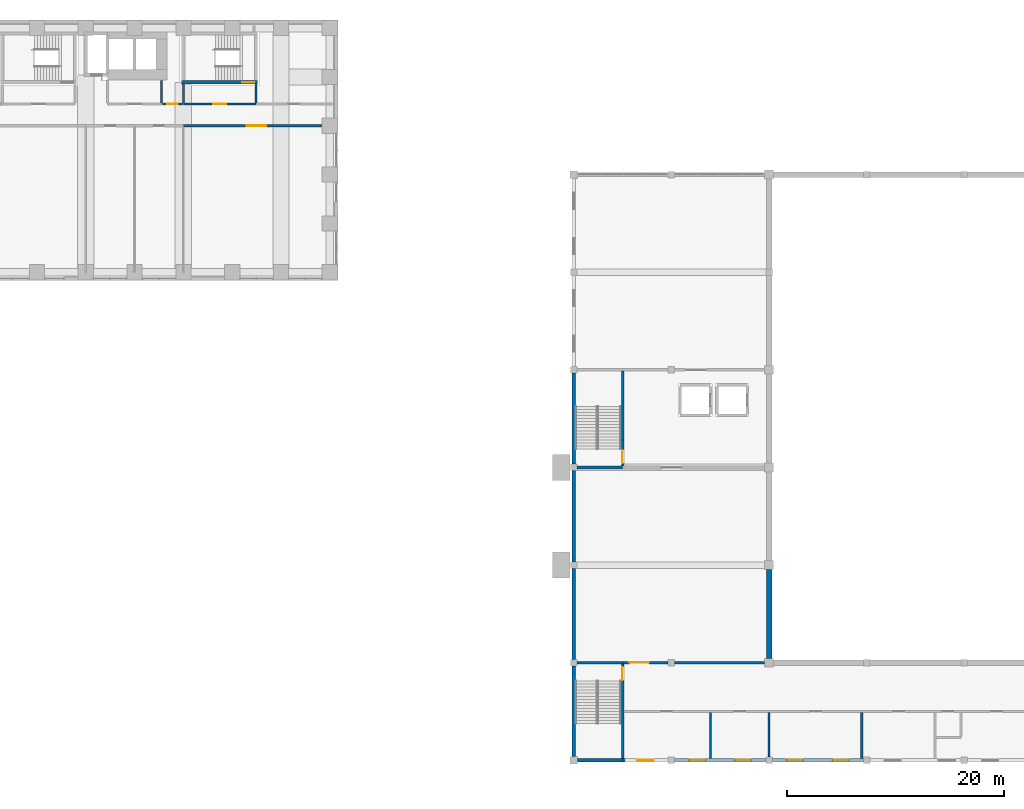
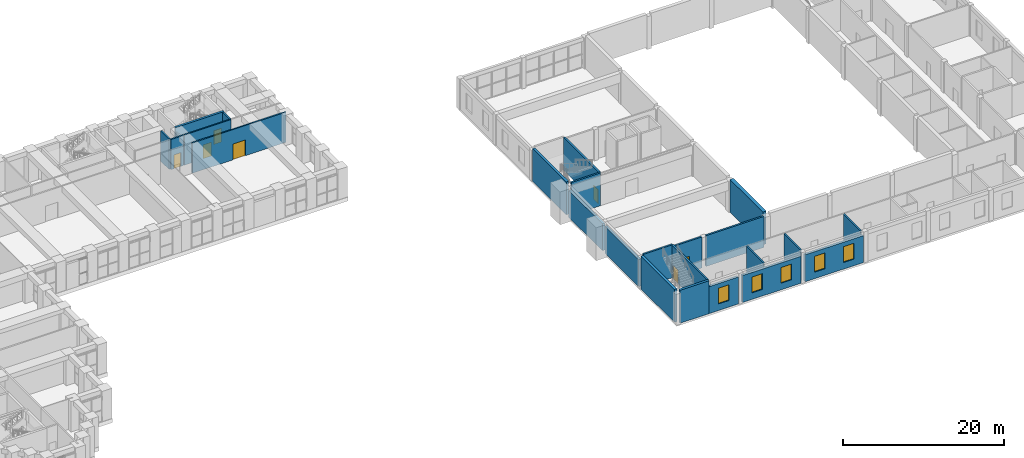
# One storey, part 18 of 30: 25 walls, 7 doors, 5 windows, 12 openings.
"""IFC4 building model written with IfcOpenShell, lengths in metres."""

from ifc_helpers import new_model, si_unit, direction, frame, frame_2d, origin, place, context, subcontext, project, spatial, rectangle, extrude, material, layer, layer_set, type_object, element, fill, save


model = new_model("IFC4")

# Units and contexts
model_context = context("Model", 3, precision=1e-05, world=origin(), true_north=direction((0.0, 1.0)))
body_context = subcontext(model_context, "Body", "Model", "MODEL_VIEW")
ifc_project = project(units=[si_unit("LENGTHUNIT", "METRE"), si_unit("AREAUNIT", "SQUARE_METRE"), si_unit("VOLUMEUNIT", "CUBIC_METRE"), si_unit("PLANEANGLEUNIT", "RADIAN"), si_unit("MASSUNIT", "GRAM", prefix="KILO")], contexts=[model_context])

# Site, building, storey
site_placement = place(None, origin())
site = spatial("IfcSite", under=ifc_project, at=site_placement, CompositionType="ELEMENT")
building_placement = place(site_placement, origin())
building = spatial("IfcBuilding", under=site, at=building_placement, Name="Firuza Court", CompositionType="ELEMENT")
storey_placement = place(building_placement, frame((0.0, 0.0, 9.0)))
storey = spatial("IfcBuildingStorey", under=building, at=storey_placement, Name="L01", CompositionType="ELEMENT", Elevation=9.0)

# Wall, opening, door
ifc_material_1 = material(Name="Concrete C60/75", Category="concrete")
ifc_layer_1 = layer(ifc_material_1, 0.300048828125)
ifc_layer_set_1 = layer_set([ifc_layer_1], Name="Concrete C60/75")
wall_type_1 = type_object("IfcWallType", Name="Core wall 300 C60/75", PredefinedType="SHEAR", material=ifc_layer_set_1)
wall_1_placement = place(storey_placement, frame((53.85009765625, 53.5, -0.60009765625), z_axis=(0.0, 0.0, 1.0), x_axis=(1.0, 0.0, 0.0)))
wall_1 = element("IfcWall", 1, at=wall_1_placement, inside=storey, type_object=wall_type_1, Name="Core wall stair L01", PredefinedType="SHEAR", context=body_context, shape_type="SweptSolid", body=[
    extrude(rectangle(XDim=7.0, YDim=0.300048828125, at=frame_2d((3.5, 0.0))), origin(), (0.0, 0.0, 1.0), 5.2001953125),
])
opening_1_placement = place(wall_1_placement, frame((5.580078125, 0.0, 0.60009765625)))
opening_1 = element("IfcOpeningElement", 2, at=opening_1_placement, cuts=wall_1, Name="Opening D01017", PredefinedType="OPENING", context=body_context, shape_type="SweptSolid", body=[
    extrude(rectangle(XDim=1.10009765625, YDim=2.10009765625, at=frame_2d((0.550048828125, 1.050048828125))), frame((0.0, 0.162109375, 0.0), z_axis=(0.0, -1.0, 0.0), x_axis=(1.0, 0.0, 0.0)), (0.0, 0.0, 1.0), 0.323974609375),
])
ifc_material_2 = material(Name="Timber door leaf in hardwood frame", Category="wood")
door_type_1 = type_object("IfcDoorType", Name="Stair door 1100", OperationType="SINGLE_SWING_LEFT", PredefinedType="DOOR", material=ifc_material_2)
door_1_placement = place(opening_1_placement, origin())
door_1 = element("IfcDoor", 3, at=door_1_placement, inside=storey, type_object=door_type_1, Name="Stair door S4", OperationType="SINGLE_SWING_RIGHT", OverallHeight=2.10009765625, OverallWidth=1.10009765625, PredefinedType="DOOR", context=body_context, shape_type="SweptSolid", body=[
    extrude(rectangle(XDim=1.10009765625, YDim=2.10009765625, at=frame_2d((0.550048828125, 1.050048828125))), frame((0.0, 0.02490234375, 0.0), z_axis=(0.0, -1.0, 0.0), x_axis=(1.0, 0.0, 0.0)), (0.0, 0.0, 1.0), 0.050048828125),
])
fill(opening_1, door_1)

ifc_material_3 = material(Name="Blockwork, plastered both sides", Category="masonry")
ifc_layer_2 = layer(ifc_material_3, 0.199951171875)
ifc_layer_set_2 = layer_set([ifc_layer_2], Name="Blockwork, plastered both sides")
wall_type_2 = type_object("IfcWallType", Name="Corridor wall 200", PredefinedType="PARTITIONING", material=ifc_layer_set_2)
wall_2_placement = place(storey_placement, frame((54.0, 49.5, 0.0), z_axis=(0.0, 0.0, 1.0), x_axis=(1.0, 0.0, 0.0)))
wall_2 = element("IfcWall", 4, at=wall_2_placement, inside=storey, type_object=wall_type_2, Name="Corridor wall 200 L01", PredefinedType="PARTITIONING", context=body_context, shape_type="SweptSolid", body=[
    extrude(rectangle(XDim=13.5, YDim=0.199951171875, at=frame_2d((6.75, 0.0))), origin(), (0.0, 0.0, 1.0), 4.60009765625),
])
opening_2_placement = place(wall_2_placement, frame((5.824951171875, 0.0, 0.0)))
opening_2 = element("IfcOpeningElement", 5, at=opening_2_placement, cuts=wall_2, Name="Opening D01033", PredefinedType="OPENING", context=body_context, shape_type="SweptSolid", body=[
    extrude(rectangle(XDim=1.800048828125, YDim=2.39990234375, at=frame_2d((0.89990234375, 1.199951171875))), frame((0.0, 0.11181640625, 0.0), z_axis=(0.0, -1.0, 0.0), x_axis=(1.0, 0.0, 0.0)), (0.0, 0.0, 1.0), 0.223876953125),
])
ifc_material_4 = material(Name="Timber door leaf in hardwood frame", Category="wood")
door_type_2 = type_object("IfcDoorType", Name="Double door 1800 EI 30", OperationType="DOUBLE_DOOR_SINGLE_SWING", PredefinedType="DOOR", material=ifc_material_4)
door_2_placement = place(opening_2_placement, origin())
door_2 = element("IfcDoor", 6, at=door_2_placement, inside=storey, type_object=door_type_2, Name="Double door", OperationType="DOUBLE_DOOR_SINGLE_SWING", OverallHeight=2.39990234375, OverallWidth=1.800048828125, PredefinedType="DOOR", context=body_context, shape_type="SweptSolid", body=[
    extrude(rectangle(XDim=1.800048828125, YDim=2.39990234375, at=frame_2d((0.89990234375, 1.199951171875))), frame((0.0, 0.02490234375, 0.0), z_axis=(0.0, -1.0, 0.0), x_axis=(1.0, 0.0, 0.0)), (0.0, 0.0, 1.0), 0.050048828125),
])
fill(opening_2, door_2)

# Walls
ifc_material_5 = material(Name="Blockwork", Category="masonry")
ifc_layer_3 = layer(ifc_material_5, 0.199951171875)
ifc_layer_set_3 = layer_set([ifc_layer_3], Name="Blockwork")
wall_type_3 = type_object("IfcWallType", Name="HALL PARTITION 200", PredefinedType="STANDARD", material=ifc_layer_set_3)
wall_3_placement = place(storey_placement, frame((102.60009765625, -8.824951171875, 0.0), z_axis=(0.0, 0.0, 1.0), x_axis=(0.0, 1.0, 0.0)))
element("IfcWall", 7, at=wall_3_placement, inside=storey, type_object=wall_type_3, Name="Wall L01.58", PredefinedType="STANDARD", context=body_context, shape_type="SweptSolid", body=[
    extrude(rectangle(XDim=4.224853515625, YDim=0.199951171875, at=frame_2d((2.1123046875, 0.0))), origin(), (0.0, 0.0, 1.0), 4.699951171875),
])
wall_4_placement = place(storey_placement, frame((108.0, -8.699951171875, 0.0), z_axis=(0.0, 0.0, 1.0), x_axis=(0.0, 1.0, 0.0)))
element("IfcWall", 8, at=wall_4_placement, inside=storey, type_object=wall_type_3, Name="Wall L01.62", PredefinedType="STANDARD", context=body_context, shape_type="SweptSolid", body=[
    extrude(rectangle(XDim=4.099853515625, YDim=0.199951171875, at=frame_2d((2.0498046875, 0.0))), origin(), (0.0, 0.0, 1.0), 4.699951171875),
])
wall_5_placement = place(storey_placement, frame((116.550048828125, -8.824951171875, 0.0), z_axis=(0.0, 0.0, 1.0), x_axis=(0.0, 1.0, 0.0)))
element("IfcWall", 9, at=wall_5_placement, inside=storey, type_object=wall_type_3, Name="Wall L01.68", PredefinedType="STANDARD", context=body_context, shape_type="SweptSolid", body=[
    extrude(rectangle(XDim=4.224853515625, YDim=0.199951171875, at=frame_2d((2.1123046875, 0.0))), origin(), (0.0, 0.0, 1.0), 4.699951171875),
])
ifc_material_6 = material(Name="Concrete C40/50", Category="concrete")
ifc_layer_4 = layer(ifc_material_6, 0.25)
ifc_layer_set_4 = layer_set([ifc_layer_4], Name="Concrete C40/50")
wall_type_4 = type_object("IfcWallType", Name="HALL RC WALL 250", PredefinedType="STANDARD", material=ifc_layer_set_4)
wall_6_placement = place(storey_placement, frame((90.300048828125, 0.0, 0.0), z_axis=(0.0, 0.0, 1.0), x_axis=(1.0, 0.0, 0.0)))
element("IfcWall", 10, at=wall_6_placement, inside=storey, type_object=wall_type_4, Name="Wall L01.12", PredefinedType="STANDARD", context=body_context, shape_type="SweptSolid", body=[
    extrude(rectangle(XDim=4.199951171875, YDim=0.25, at=frame_2d((2.10009765625, 0.0))), origin(), (0.0, 0.0, 1.0), 5.0),
])

# Wall, opening, door
wall_7_placement = place(storey_placement, frame((94.5, 0.0, 0.0), z_axis=(0.0, 0.0, 1.0), x_axis=(1.0, 0.0, 0.0)))
wall_7 = element("IfcWall", 11, at=wall_7_placement, inside=storey, type_object=wall_type_4, Name="Wall L01.13", PredefinedType="STANDARD", context=body_context, shape_type="SweptSolid", body=[
    extrude(rectangle(XDim=4.199951171875, YDim=0.25, at=frame_2d((2.10009765625, 0.0))), origin(), (0.0, 0.0, 1.0), 4.699951171875),
])
opening_3_placement = place(wall_7_placement, frame((0.6201171875, 0.0, 0.0)))
opening_3 = element("IfcOpeningElement", 12, at=opening_3_placement, cuts=wall_7, Name="Opening H060", PredefinedType="OPENING", context=body_context, shape_type="SweptSolid", body=[
    extrude(rectangle(XDim=1.800048828125, YDim=2.39990234375, at=frame_2d((0.89990234375, 1.199951171875))), frame((0.0, 0.136962890625, 0.0), z_axis=(0.0, -1.0, 0.0), x_axis=(1.0, 0.0, 0.0)), (0.0, 0.0, 1.0), 0.27392578125),
])
ifc_material_7 = material(Name="Timber", Category="wood")
door_type_3 = type_object("IfcDoorType", Name="HALL DOOR 1800X2400", OperationType="DOUBLE_DOOR_SINGLE_SWING", PredefinedType="DOOR", material=ifc_material_7)
door_3_placement = place(opening_3_placement, origin())
door_3 = element("IfcDoor", 13, at=door_3_placement, inside=storey, type_object=door_type_3, Name="Chamber hall door south", OperationType="DOUBLE_DOOR_SINGLE_SWING", OverallHeight=2.39990234375, OverallWidth=1.800048828125, PredefinedType="DOOR", context=body_context, shape_type="SweptSolid", body=[
    extrude(rectangle(XDim=1.800048828125, YDim=2.39990234375, at=frame_2d((0.89990234375, 1.199951171875))), frame((0.0, 0.02490234375, 0.0), z_axis=(0.0, -1.0, 0.0), x_axis=(1.0, 0.0, 0.0)), (0.0, 0.0, 1.0), 0.050048828125),
])
fill(opening_3, door_3)

# Walls
wall_8_placement = place(storey_placement, frame((99.300048828125, 0.0, 0.0), z_axis=(0.0, 0.0, 1.0), x_axis=(1.0, 0.0, 0.0)))
element("IfcWall", 14, at=wall_8_placement, inside=storey, type_object=wall_type_4, Name="Wall L01.14", PredefinedType="STANDARD", context=body_context, shape_type="SweptSolid", body=[
    extrude(rectangle(XDim=8.300048828125, YDim=0.25, at=frame_2d((4.14990234375, 0.0))), origin(), (0.0, 0.0, 1.0), 4.699951171875),
])
wall_9_placement = place(storey_placement, frame((90.300048828125, 18.0, 0.0), z_axis=(0.0, 0.0, 1.0), x_axis=(1.0, 0.0, 0.0)))
element("IfcWall", 15, at=wall_9_placement, inside=storey, type_object=wall_type_4, Name="Wall L01.27", PredefinedType="STANDARD", context=body_context, shape_type="SweptSolid", body=[
    extrude(rectangle(XDim=4.199951171875, YDim=0.25, at=frame_2d((2.10009765625, 0.0))), origin(), (0.0, 0.0, 1.0), 5.0),
])

# Wall, opening, door
wall_10_placement = place(storey_placement, frame((94.5, -8.824951171875, 0.0), z_axis=(0.0, 0.0, 1.0), x_axis=(0.0, 1.0, 0.0)))
wall_10 = element("IfcWall", 16, at=wall_10_placement, inside=storey, type_object=wall_type_4, Name="Wall L01.55", PredefinedType="STANDARD", context=body_context, shape_type="SweptSolid", body=[
    extrude(rectangle(XDim=8.699951171875, YDim=0.25, at=frame_2d((4.35009765625, 0.0))), origin(), (0.0, 0.0, 1.0), 5.0),
])
opening_4_placement = place(wall_10_placement, frame((7.219970703125, 0.0, 0.0)))
opening_4 = element("IfcOpeningElement", 17, at=opening_4_placement, cuts=wall_10, Name="Opening H063", PredefinedType="OPENING", context=body_context, shape_type="SweptSolid", body=[
    extrude(rectangle(XDim=1.199951171875, YDim=2.10009765625, at=frame_2d((0.60009765625, 1.050048828125))), frame((0.0, 0.136962890625, 0.0), z_axis=(0.0, -1.0, 0.0), x_axis=(1.0, 0.0, 0.0)), (0.0, 0.0, 1.0), 0.27392578125),
])
ifc_material_8 = material(Name="Timber", Category="wood")
door_type_4 = type_object("IfcDoorType", Name="HALL DOOR 1200X2100", OperationType="SINGLE_SWING_LEFT", PredefinedType="DOOR", material=ifc_material_8)
door_4_placement = place(opening_4_placement, origin())
door_4 = element("IfcDoor", 18, at=door_4_placement, inside=storey, type_object=door_type_4, Name="Stair H1 door", OperationType="SINGLE_SWING_RIGHT", OverallHeight=2.10009765625, OverallWidth=1.199951171875, PredefinedType="DOOR", context=body_context, shape_type="SweptSolid", body=[
    extrude(rectangle(XDim=1.199951171875, YDim=2.10009765625, at=frame_2d((0.60009765625, 1.050048828125))), frame((0.0, 0.02490234375, 0.0), z_axis=(0.0, -1.0, 0.0), x_axis=(1.0, 0.0, 0.0)), (0.0, 0.0, 1.0), 0.050048828125),
])
fill(opening_4, door_4)

wall_11_placement = place(storey_placement, frame((94.5, 18.125, 0.0), z_axis=(0.0, 0.0, 1.0), x_axis=(0.0, 1.0, 0.0)))
wall_11 = element("IfcWall", 19, at=wall_11_placement, inside=storey, type_object=wall_type_4, Name="Wall L01.56", PredefinedType="STANDARD", context=body_context, shape_type="SweptSolid", body=[
    extrude(rectangle(XDim=8.75, YDim=0.25, at=frame_2d((4.375, 0.0))), origin(), (0.0, 0.0, 1.0), 5.0),
])
opening_5_placement = place(wall_11_placement, frame((0.27001953125, 0.0, 0.0)))
opening_5 = element("IfcOpeningElement", 20, at=opening_5_placement, cuts=wall_11, Name="Opening H065", PredefinedType="OPENING", context=body_context, shape_type="SweptSolid", body=[
    extrude(rectangle(XDim=1.199951171875, YDim=2.10009765625, at=frame_2d((0.60009765625, 1.050048828125))), frame((0.0, 0.136962890625, 0.0), z_axis=(0.0, -1.0, 0.0), x_axis=(1.0, 0.0, 0.0)), (0.0, 0.0, 1.0), 0.27392578125),
])
door_5_placement = place(opening_5_placement, origin())
door_5 = element("IfcDoor", 21, at=door_5_placement, inside=storey, type_object=door_type_4, Name="Stair H3 door", OperationType="SINGLE_SWING_LEFT", OverallHeight=2.10009765625, OverallWidth=1.199951171875, PredefinedType="DOOR", context=body_context, shape_type="SweptSolid", body=[
    extrude(rectangle(XDim=1.199951171875, YDim=2.10009765625, at=frame_2d((0.60009765625, 1.050048828125))), frame((0.0, 0.02490234375, 0.0), z_axis=(0.0, -1.0, 0.0), x_axis=(1.0, 0.0, 0.0)), (0.0, 0.0, 1.0), 0.050048828125),
])
fill(opening_5, door_5)

# Walls
ifc_layer_5 = layer(ifc_material_6, 0.5)
ifc_layer_set_5 = layer_set([ifc_layer_5], Name="Concrete C40/50")
wall_type_5 = type_object("IfcWallType", Name="HALL RC WALL 500", PredefinedType="STANDARD", material=ifc_layer_set_5)
wall_12_placement = place(storey_placement, frame((108.0, 0.39990234375, 0.0), z_axis=(0.0, 0.0, 1.0), x_axis=(0.0, 1.0, 0.0)))
element("IfcWall", 22, at=wall_12_placement, inside=storey, type_object=wall_type_5, Name="Wall L01.63", PredefinedType="STANDARD", context=body_context, shape_type="SweptSolid", body=[
    extrude(rectangle(XDim=8.2001953125, YDim=0.5, at=frame_2d((4.10009765625, 0.0))), origin(), (0.0, 0.0, 1.0), 5.0),
])
ifc_material_9 = material(Name="Concrete C30/37", Category="concrete")
ifc_layer_6 = layer(ifc_material_9, 0.300048828125)
ifc_material_10 = material(Name="Ceramic tile", Category="ceramic")
ifc_layer_7 = layer(ifc_material_10, 0.050048828125)
ifc_layer_set_6 = layer_set([ifc_layer_6, ifc_layer_7], Name="Concrete C30/37")
wall_type_6 = type_object("IfcWallType", Name="HALL TILE CLAD WALL 350", PredefinedType="STANDARD", material=ifc_layer_set_6)
wall_13_placement = place(storey_placement, frame((90.35009765625, -9.0, 0.0), z_axis=(0.0, 0.0, 1.0), x_axis=(1.0, 0.0, 0.0)))
element("IfcWall", 23, at=wall_13_placement, inside=storey, type_object=wall_type_6, Name="Wall L01.1", PredefinedType="STANDARD", context=body_context, shape_type="SweptSolid", body=[
    extrude(rectangle(XDim=4.14990234375, YDim=0.35009765625, at=frame_2d((2.074951171875, 0.0))), origin(), (0.0, 0.0, 1.0), 5.0),
])

# Wall, opening, window
wall_14_placement = place(storey_placement, frame((94.5, -9.0, 0.0), z_axis=(0.0, 0.0, 1.0), x_axis=(1.0, 0.0, 0.0)))
wall_14 = element("IfcWall", 24, at=wall_14_placement, inside=storey, type_object=wall_type_6, Name="Wall L01.2", PredefinedType="STANDARD", context=body_context, shape_type="SweptSolid", body=[
    extrude(rectangle(XDim=4.199951171875, YDim=0.35009765625, at=frame_2d((2.10009765625, 0.0))), origin(), (0.0, 0.0, 1.0), 4.10009765625),
])
opening_6_placement = place(wall_14_placement, frame((1.35009765625, 0.0, 1.0)))
opening_6 = element("IfcOpeningElement", 25, at=opening_6_placement, cuts=wall_14, Name="Opening HW-1", PredefinedType="OPENING", context=body_context, shape_type="SweptSolid", body=[
    extrude(rectangle(XDim=1.5, YDim=2.39990234375, at=frame_2d((0.75, 1.199951171875))), frame((0.0, 0.18701171875, 0.0), z_axis=(0.0, -1.0, 0.0), x_axis=(1.0, 0.0, 0.0)), (0.0, 0.0, 1.0), 0.3740234375),
])
ifc_material_11 = material(Name="Aluminium", Category="aluminium")
window_type = type_object("IfcWindowType", Name="HALL WINDOW 1500X2400", PartitioningType="SINGLE_PANEL", PredefinedType="WINDOW", material=ifc_material_11)
window_1_placement = place(opening_6_placement, origin())
window_1 = element("IfcWindow", 26, at=window_1_placement, inside=storey, type_object=window_type, Name="Window L01.18", OverallHeight=2.39990234375, OverallWidth=1.5, PartitioningType="SINGLE_PANEL", PredefinedType="WINDOW", context=body_context, shape_type="SweptSolid", body=[
    extrude(rectangle(XDim=1.5, YDim=2.39990234375, at=frame_2d((0.75, 1.199951171875))), frame((0.0, 0.030029296875, 0.0), z_axis=(0.0, -1.0, 0.0), x_axis=(1.0, 0.0, 0.0)), (0.0, 0.0, 1.0), 0.06005859375),
])
fill(opening_6, window_1)

# Wall, openings, windows
wall_15_placement = place(storey_placement, frame((99.300048828125, -9.0, 0.0), z_axis=(0.0, 0.0, 1.0), x_axis=(1.0, 0.0, 0.0)))
wall_15 = element("IfcWall", 27, at=wall_15_placement, inside=storey, type_object=wall_type_6, Name="Wall L01.3", PredefinedType="STANDARD", context=body_context, shape_type="SweptSolid", body=[
    extrude(rectangle(XDim=8.39990234375, YDim=0.35009765625, at=frame_2d((4.199951171875, 0.0))), origin(), (0.0, 0.0, 1.0), 4.10009765625),
])
opening_7_placement = place(wall_15_placement, frame((1.35009765625, 0.0, 1.0)))
opening_7 = element("IfcOpeningElement", 28, at=opening_7_placement, cuts=wall_15, Name="Opening HW-1", PredefinedType="OPENING", context=body_context, shape_type="SweptSolid", body=[
    extrude(rectangle(XDim=1.5, YDim=2.39990234375, at=frame_2d((0.75, 1.199951171875))), frame((0.0, 0.18701171875, 0.0), z_axis=(0.0, -1.0, 0.0), x_axis=(1.0, 0.0, 0.0)), (0.0, 0.0, 1.0), 0.3740234375),
])
opening_8_placement = place(wall_15_placement, frame((5.550048828125, 0.0, 1.0)))
opening_8 = element("IfcOpeningElement", 29, at=opening_8_placement, cuts=wall_15, Name="Opening HW-1", PredefinedType="OPENING", context=body_context, shape_type="SweptSolid", body=[
    extrude(rectangle(XDim=1.5, YDim=2.39990234375, at=frame_2d((0.75, 1.199951171875))), frame((0.0, 0.18701171875, 0.0), z_axis=(0.0, -1.0, 0.0), x_axis=(1.0, 0.0, 0.0)), (0.0, 0.0, 1.0), 0.3740234375),
])
window_2_placement = place(opening_7_placement, origin())
window_2 = element("IfcWindow", 30, at=window_2_placement, inside=storey, type_object=window_type, Name="Window L01.19", OverallHeight=2.39990234375, OverallWidth=1.5, PartitioningType="SINGLE_PANEL", PredefinedType="WINDOW", context=body_context, shape_type="SweptSolid", body=[
    extrude(rectangle(XDim=1.5, YDim=2.39990234375, at=frame_2d((0.75, 1.199951171875))), frame((0.0, 0.030029296875, 0.0), z_axis=(0.0, -1.0, 0.0), x_axis=(1.0, 0.0, 0.0)), (0.0, 0.0, 1.0), 0.06005859375),
])
fill(opening_7, window_2)
window_3_placement = place(opening_8_placement, origin())
window_3 = element("IfcWindow", 31, at=window_3_placement, inside=storey, type_object=window_type, Name="Window L01.20", OverallHeight=2.39990234375, OverallWidth=1.5, PartitioningType="SINGLE_PANEL", PredefinedType="WINDOW", context=body_context, shape_type="SweptSolid", body=[
    extrude(rectangle(XDim=1.5, YDim=2.39990234375, at=frame_2d((0.75, 1.199951171875))), frame((0.0, 0.030029296875, 0.0), z_axis=(0.0, -1.0, 0.0), x_axis=(1.0, 0.0, 0.0)), (0.0, 0.0, 1.0), 0.06005859375),
])
fill(opening_8, window_3)

wall_16_placement = place(storey_placement, frame((108.300048828125, -9.0, 0.0), z_axis=(0.0, 0.0, 1.0), x_axis=(1.0, 0.0, 0.0)))
wall_16 = element("IfcWall", 32, at=wall_16_placement, inside=storey, type_object=wall_type_6, Name="Wall L01.4", PredefinedType="STANDARD", context=body_context, shape_type="SweptSolid", body=[
    extrude(rectangle(XDim=8.39990234375, YDim=0.35009765625, at=frame_2d((4.199951171875, 0.0))), origin(), (0.0, 0.0, 1.0), 4.10009765625),
])
opening_9_placement = place(wall_16_placement, frame((1.35009765625, 0.0, 1.0)))
opening_9 = element("IfcOpeningElement", 33, at=opening_9_placement, cuts=wall_16, Name="Opening HW-1", PredefinedType="OPENING", context=body_context, shape_type="SweptSolid", body=[
    extrude(rectangle(XDim=1.5, YDim=2.39990234375, at=frame_2d((0.75, 1.199951171875))), frame((0.0, 0.18701171875, 0.0), z_axis=(0.0, -1.0, 0.0), x_axis=(1.0, 0.0, 0.0)), (0.0, 0.0, 1.0), 0.3740234375),
])
opening_10_placement = place(wall_16_placement, frame((5.550048828125, 0.0, 1.0)))
opening_10 = element("IfcOpeningElement", 34, at=opening_10_placement, cuts=wall_16, Name="Opening HW-1", PredefinedType="OPENING", context=body_context, shape_type="SweptSolid", body=[
    extrude(rectangle(XDim=1.5, YDim=2.39990234375, at=frame_2d((0.75, 1.199951171875))), frame((0.0, 0.18701171875, 0.0), z_axis=(0.0, -1.0, 0.0), x_axis=(1.0, 0.0, 0.0)), (0.0, 0.0, 1.0), 0.3740234375),
])
window_4_placement = place(opening_9_placement, origin())
window_4 = element("IfcWindow", 35, at=window_4_placement, inside=storey, type_object=window_type, Name="Window L01.21", OverallHeight=2.39990234375, OverallWidth=1.5, PartitioningType="SINGLE_PANEL", PredefinedType="WINDOW", context=body_context, shape_type="SweptSolid", body=[
    extrude(rectangle(XDim=1.5, YDim=2.39990234375, at=frame_2d((0.75, 1.199951171875))), frame((0.0, 0.030029296875, 0.0), z_axis=(0.0, -1.0, 0.0), x_axis=(1.0, 0.0, 0.0)), (0.0, 0.0, 1.0), 0.06005859375),
])
fill(opening_9, window_4)
window_5_placement = place(opening_10_placement, origin())
window_5 = element("IfcWindow", 36, at=window_5_placement, inside=storey, type_object=window_type, Name="Window L01.22", OverallHeight=2.39990234375, OverallWidth=1.5, PartitioningType="SINGLE_PANEL", PredefinedType="WINDOW", context=body_context, shape_type="SweptSolid", body=[
    extrude(rectangle(XDim=1.5, YDim=2.39990234375, at=frame_2d((0.75, 1.199951171875))), frame((0.0, 0.030029296875, 0.0), z_axis=(0.0, -1.0, 0.0), x_axis=(1.0, 0.0, 0.0)), (0.0, 0.0, 1.0), 0.06005859375),
])
fill(opening_10, window_5)

# Walls
wall_17_placement = place(storey_placement, frame((90.0, -8.64990234375, 0.0), z_axis=(0.0, 0.0, 1.0), x_axis=(0.0, 1.0, 0.0)))
element("IfcWall", 37, at=wall_17_placement, inside=storey, type_object=wall_type_6, Name="Wall L01.49", PredefinedType="STANDARD", context=body_context, shape_type="SweptSolid", body=[
    extrude(rectangle(XDim=8.349853515625, YDim=0.35009765625, at=frame_2d((4.1748046875, 0.0))), origin(), (0.0, 0.0, 1.0), 5.0),
])
for number, where, z_axis, x_axis, name in (
    (38, (90.0, 0.300048828125, 0.0), (0.0, 0.0, 1.0), (0.0, 1.0, 0.0), "Wall L01.50"),
    (39, (90.0, 9.300048828125, 0.0), (0.0, 0.0, 1.0), (0.0, 1.0, 0.0), "Wall L01.51"),
):
    element("IfcWall", number, at=place(storey_placement, frame(where, z_axis=z_axis, x_axis=x_axis)), inside=storey, type_object=wall_type_6, Name=name, PredefinedType="STANDARD", context=body_context, shape_type="SweptSolid", body=[
        extrude(rectangle(XDim=8.39990234375, YDim=0.35009765625, at=frame_2d((4.199951171875, 0.0))), origin(), (0.0, 0.0, 1.0), 4.10009765625),
    ])
wall_18_placement = place(storey_placement, frame((90.0, 18.300048828125, 0.0), z_axis=(0.0, 0.0, 1.0), x_axis=(0.0, 1.0, 0.0)))
element("IfcWall", 40, at=wall_18_placement, inside=storey, type_object=wall_type_6, Name="Wall L01.52", PredefinedType="STANDARD", context=body_context, shape_type="SweptSolid", body=[
    extrude(rectangle(XDim=8.39990234375, YDim=0.35009765625, at=frame_2d((4.199951171875, 0.0))), origin(), (0.0, 0.0, 1.0), 5.0),
])

# Wall, opening, door
ifc_material_12 = material(Name="Blockwork, fire-rated", Category="masonry")
ifc_layer_8 = layer(ifc_material_12, 0.199951171875)
ifc_layer_set_7 = layer_set([ifc_layer_8], Name="Blockwork, fire-rated")
wall_type_7 = type_object("IfcWallType", Name="Plant room wall 200", PredefinedType="PARTITIONING", material=ifc_layer_set_7)
wall_19_placement = place(storey_placement, frame((53.89990234375, 51.5, 0.0), z_axis=(0.0, 0.0, 1.0), x_axis=(-1.0, 0.0, 0.0)))
wall_19 = element("IfcWall", 41, at=wall_19_placement, inside=storey, type_object=wall_type_7, Name="Plant room wall 200 L01", PredefinedType="PARTITIONING", context=body_context, shape_type="SweptSolid", body=[
    extrude(rectangle(XDim=1.7998046875, YDim=0.199951171875, at=frame_2d((0.89990234375, 0.0))), origin(), (0.0, 0.0, 1.0), 4.60009765625),
])
opening_11_placement = place(wall_19_placement, frame((0.39990234375, 0.0, 0.0)))
opening_11 = element("IfcOpeningElement", 42, at=opening_11_placement, cuts=wall_19, Name="Opening D01036", PredefinedType="OPENING", context=body_context, shape_type="SweptSolid", body=[
    extrude(rectangle(XDim=1.0, YDim=2.10009765625, at=frame_2d((0.5, 1.050048828125))), frame((0.0, 0.11181640625, 0.0), z_axis=(0.0, -1.0, 0.0), x_axis=(1.0, 0.0, 0.0)), (0.0, 0.0, 1.0), 0.223876953125),
])
ifc_material_13 = material(Name="Timber door leaf in hardwood frame", Category="wood")
door_type_5 = type_object("IfcDoorType", Name="Store door 1000", OperationType="SINGLE_SWING_LEFT", PredefinedType="DOOR", material=ifc_material_13)
door_6_placement = place(opening_11_placement, frame((1.0, 0.0, 0.0), z_axis=(0.0, 0.0, 1.0), x_axis=(-1.0, 0.0, 0.0)))
door_6 = element("IfcDoor", 43, at=door_6_placement, inside=storey, type_object=door_type_5, Name="Store door", OperationType="SINGLE_SWING_RIGHT", OverallHeight=2.10009765625, OverallWidth=1.0, PredefinedType="DOOR", context=body_context, shape_type="SweptSolid", body=[
    extrude(rectangle(XDim=1.0, YDim=2.10009765625, at=frame_2d((0.5, 1.050048828125))), frame((0.0, 0.02490234375, 0.0), z_axis=(0.0, -1.0, 0.0), x_axis=(1.0, 0.0, 0.0)), (0.0, 0.0, 1.0), 0.050048828125),
])
fill(opening_11, door_6)

# Wall
ifc_layer_9 = layer(ifc_material_12, 0.199951171875)
ifc_layer_set_8 = layer_set([ifc_layer_9], Name="Blockwork, fire-rated")
wall_type_8 = type_object("IfcWallType", Name="Shaft wall 200", PredefinedType="PARTITIONING", material=ifc_layer_set_8)
wall_20_placement = place(storey_placement, frame((52.0, 51.60009765625, 0.0), z_axis=(0.0, 0.0, 1.0), x_axis=(0.0, 1.0, 0.0)))
element("IfcWall", 44, at=wall_20_placement, inside=storey, type_object=wall_type_8, Name="Shaft wall 200 L01", PredefinedType="PARTITIONING", context=body_context, shape_type="SweptSolid", body=[
    extrude(rectangle(XDim=2.079833984375, YDim=0.199951171875, at=frame_2d((1.0400390625, 0.0))), origin(), (0.0, 0.0, 1.0), 4.60009765625),
])

# Wall, opening, door
wall_21_placement = place(storey_placement, frame((54.0, 51.5, 0.0), z_axis=(0.0, 0.0, 1.0), x_axis=(1.0, 0.0, 0.0)))
wall_21 = element("IfcWall", 45, at=wall_21_placement, inside=storey, type_object=wall_type_8, Name="Shaft wall 200 L01", PredefinedType="PARTITIONING", context=body_context, shape_type="SweptSolid", body=[
    extrude(rectangle(XDim=6.699951171875, YDim=0.199951171875, at=frame_2d((3.35009765625, 0.0))), origin(), (0.0, 0.0, 1.0), 4.60009765625),
])
opening_12_placement = place(wall_21_placement, frame((2.75, 0.0, 0.0)))
opening_12 = element("IfcOpeningElement", 46, at=opening_12_placement, cuts=wall_21, Name="Opening D01007", PredefinedType="OPENING", context=body_context, shape_type="SweptSolid", body=[
    extrude(rectangle(XDim=1.199951171875, YDim=2.10009765625, at=frame_2d((0.60009765625, 1.050048828125))), frame((0.0, 0.11181640625, 0.0), z_axis=(0.0, -1.0, 0.0), x_axis=(1.0, 0.0, 0.0)), (0.0, 0.0, 1.0), 0.223876953125),
])
ifc_material_14 = material(Name="Timber door leaf in hardwood frame", Category="wood")
door_type_6 = type_object("IfcDoorType", Name="Lobby door 1200", OperationType="SINGLE_SWING_LEFT", PredefinedType="DOOR", material=ifc_material_14)
door_7_placement = place(opening_12_placement, origin())
door_7 = element("IfcDoor", 47, at=door_7_placement, inside=storey, type_object=door_type_6, Name="Lobby door", OperationType="SINGLE_SWING_LEFT", OverallHeight=2.10009765625, OverallWidth=1.199951171875, PredefinedType="DOOR", context=body_context, shape_type="SweptSolid", body=[
    extrude(rectangle(XDim=1.199951171875, YDim=2.10009765625, at=frame_2d((0.60009765625, 1.050048828125))), frame((0.0, 0.02490234375, 0.0), z_axis=(0.0, -1.0, 0.0), x_axis=(1.0, 0.0, 0.0)), (0.0, 0.0, 1.0), 0.050048828125),
])
fill(opening_12, door_7)

# Walls
wall_22_placement = place(storey_placement, frame((60.699951171875, 51.60009765625, 0.0), z_axis=(0.0, 0.0, 1.0), x_axis=(0.0, 1.0, 0.0)))
element("IfcWall", 48, at=wall_22_placement, inside=storey, type_object=wall_type_8, Name="Shaft wall 200 L01", PredefinedType="PARTITIONING", context=body_context, shape_type="SweptSolid", body=[
    extrude(rectangle(XDim=1.72998046875, YDim=0.199951171875, at=frame_2d((0.864990234375, 0.0))), origin(), (0.0, 0.0, 1.0), 4.60009765625),
])
wall_23_placement = place(storey_placement, frame((54.0, 51.60009765625, 0.0), z_axis=(0.0, 0.0, 1.0), x_axis=(0.0, 1.0, 0.0)))
element("IfcWall", 49, at=wall_23_placement, inside=storey, type_object=wall_type_8, Name="Shaft wall 200 L01", PredefinedType="PARTITIONING", context=body_context, shape_type="SweptSolid", body=[
    extrude(rectangle(XDim=1.72998046875, YDim=0.199951171875, at=frame_2d((0.864990234375, 0.0))), origin(), (0.0, 0.0, 1.0), 3.89990234375),
])

save(model, "model.ifc")
